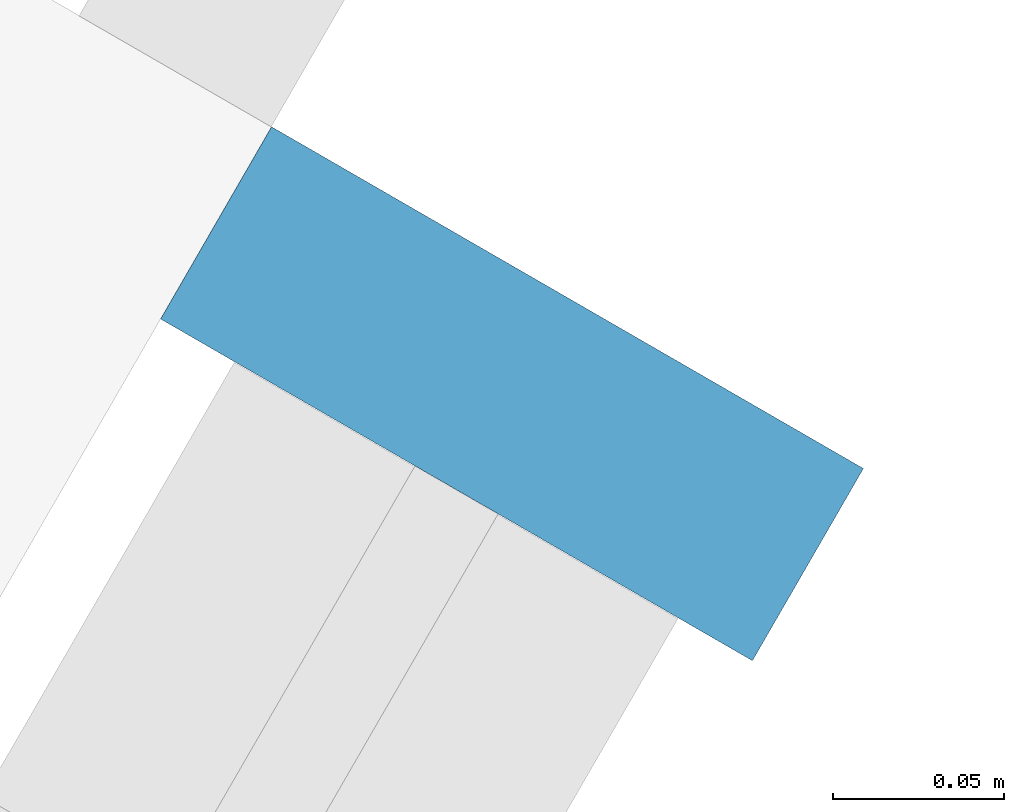
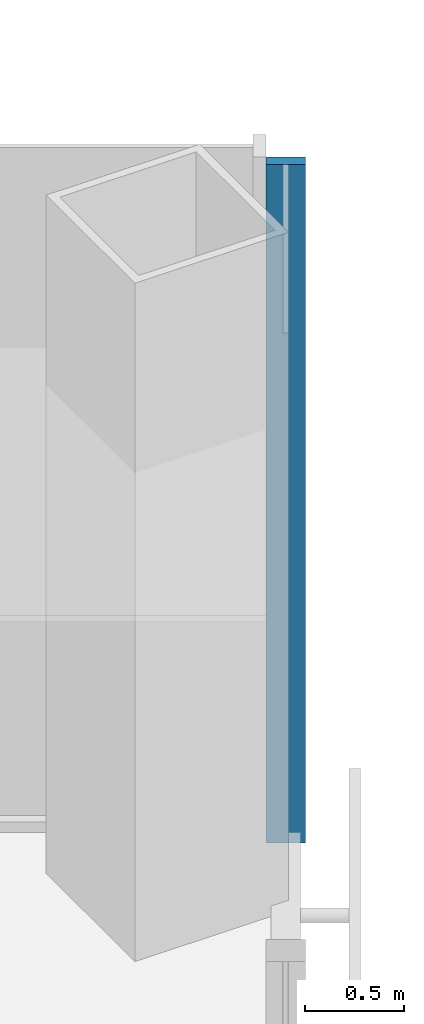
# One storey, part 8 of 15: 1 member, 1 element without a shape of its own.
"""IFC4 building model written with IfcOpenShell, lengths in metres."""

from ifc_helpers import new_model, si_unit, direction, frame, origin, origin_2d, place, context, subcontext, project, spatial, rectangle, extrude, material, material_profile, profile_set, type_object, element, aggregate, save


model = new_model("IFC4")

# Units and contexts
model_context = context("Model", 3, precision=1e-05, world=origin(), true_north=direction((0.0, 1.0)))
body_context = subcontext(model_context, "Body", "Model", "MODEL_VIEW")
ifc_project = project(units=[si_unit("LENGTHUNIT", "METRE"), si_unit("AREAUNIT", "SQUARE_METRE"), si_unit("VOLUMEUNIT", "CUBIC_METRE"), si_unit("PLANEANGLEUNIT", "RADIAN"), si_unit("MASSUNIT", "GRAM", prefix="KILO")], contexts=[model_context])

# Site, building, storey
site_placement = place(None, origin())
site = spatial("IfcSite", under=ifc_project, at=site_placement, CompositionType="ELEMENT")
building_placement = place(site_placement, origin())
building = spatial("IfcBuilding", under=site, at=building_placement, Name="Kasaneha Research Tower", CompositionType="ELEMENT")
storey_placement = place(building_placement, frame((0.0, 0.0, 39.39990234375)))
storey = spatial("IfcBuildingStorey", under=building, at=storey_placement, Name="L10", CompositionType="ELEMENT", Elevation=39.39990234375)

# Curtain wall, member
ifc_material_1 = material(Name="Glass and aluminium", Category="aluminium")
curtain_wall_type = type_object("IfcCurtainWallType", Name="Dry laboratory curtain wall", PredefinedType="USERDEFINED", material=ifc_material_1)
curtain_wall_placement = place(storey_placement, origin())
curtain_wall = element("IfcCurtainWall", 1, at=curtain_wall_placement, inside=storey, type_object=curtain_wall_type, Name="CW-L2 L10 run 05a", ObjectType="UNITISED CURTAIN WALL", PredefinedType="USERDEFINED")
ifc_material_2 = material(Name="Aluminium 6063-T6", Category="aluminium")
ifc_material_profile = material_profile(ifc_material_2, rectangle(XDim=0.06494140625, YDim=0.199951171875, at=origin_2d()), Name="CW-L2 mullion 65x200")
ifc_profile_set = profile_set([ifc_material_profile], Name="Aluminium 6063-T6")
member_type = type_object("IfcMemberType", Name="CW-L2 mullion", PredefinedType="MULLION", material=ifc_profile_set)
member_placement = place(storey_placement, frame((32.01171875, -6.39501953125, 0.0), z_axis=(0.0, 0.0, 1.0), x_axis=(0.500000011442, 0.866025397178, 0.0)))
member = element("IfcMember", 2, at=member_placement, type_object=member_type, Name="CW-L2 mullion 4", PredefinedType="MULLION", context=body_context, shape_type="SweptSolid", body=[
    extrude(rectangle(XDim=0.06494140625, YDim=0.199951171875, at=origin_2d()), origin(), (0.0, 0.0, 1.0), 4.2001953125),
])
aggregate(curtain_wall, [member])

save(model, "model.ifc")
